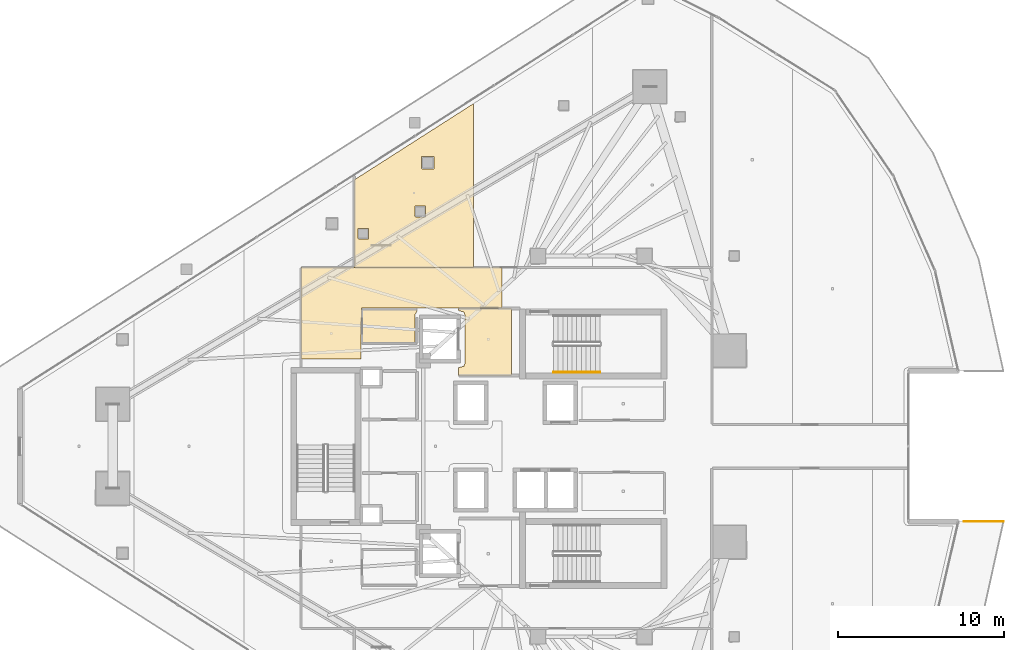
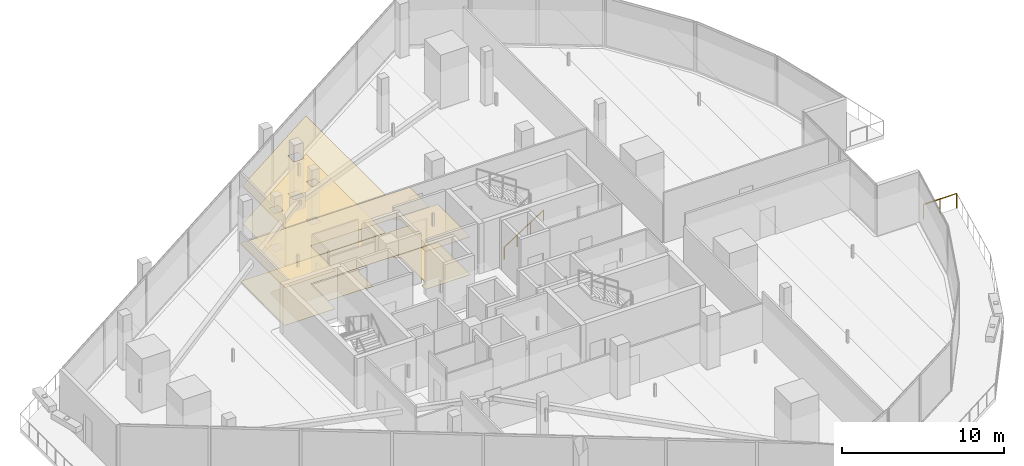
# One storey, part 37 of 39: 7 coverings, 2 railings.
"""IFC4 building model written with IfcOpenShell, lengths in metres."""

from ifc_helpers import new_model, si_unit, direction, frame, origin, origin_2d, place, context, subcontext, project, spatial, polyline, circle, outline, extrude, material, layer, layer_set, type_object, element, save


model = new_model("IFC4")

# Units and contexts
model_context = context("Model", 3, precision=1e-05, world=origin(), true_north=direction((0.0, 1.0)))
body_context = subcontext(model_context, "Body", "Model", "MODEL_VIEW")
ifc_project = project(units=[si_unit("LENGTHUNIT", "METRE"), si_unit("AREAUNIT", "SQUARE_METRE"), si_unit("VOLUMEUNIT", "CUBIC_METRE"), si_unit("PLANEANGLEUNIT", "RADIAN"), si_unit("MASSUNIT", "GRAM", prefix="KILO")], contexts=[model_context])

# Site, building, storey
site_placement = place(None, origin())
site = spatial("IfcSite", under=ifc_project, at=site_placement, CompositionType="ELEMENT")
building_placement = place(site_placement, origin())
building = spatial("IfcBuilding", under=site, at=building_placement, Name="Qorvath Tower", CompositionType="ELEMENT")
storey_placement = place(building_placement, frame((0.0, 0.0, 201.0)))
storey = spatial("IfcBuildingStorey", under=building, at=storey_placement, Name="L46", CompositionType="ELEMENT", Elevation=201.0)

# Coverings
ifc_material_1 = material(Name="Acoustic mineral fibre ceiling tile", Category="gypsum")
ifc_layer_1 = layer(ifc_material_1, 0.030029296875)
ifc_layer_set_1 = layer_set([ifc_layer_1], Name="COV-CEIL")
covering_type_1 = type_object("IfcCoveringType", Name="COV-CEIL", PredefinedType="CEILING", material=ifc_layer_set_1)
covering_1_placement = place(storey_placement, frame((0.0, 0.0, 2.85009765625)))
element("IfcCovering", 1, at=covering_1_placement, inside=storey, type_object=covering_type_1, Name="L46 Suspended Acoustic Ceiling 001", PredefinedType="CEILING", context=body_context, shape_type="SweptSolid", body=[
    extrude(outline(polyline([(-25.18994140625, 4.2548828125), (-25.18994140625, 8.294921875), (-28.375, 8.294921875), (-28.375, 8.159912109375), (-28.063232421875, 8.086669921875), (-27.989990234375, 7.909912109375), (-27.989990234375, 4.989990234375), (-28.063232421875, 4.813232421875), (-28.375, 4.739990234375), (-28.375, 4.2548828125), (-25.18994140625, 4.2548828125)])), origin(), (0.0, 0.0, 1.0), 0.030029296875),
])
covering_2_placement = place(storey_placement, frame((0.0, 0.0, 2.85009765625)))
element("IfcCovering", 2, at=covering_2_placement, inside=storey, type_object=covering_type_1, Name="L46 Suspended Acoustic Ceiling 010", PredefinedType="CEILING", context=body_context, shape_type="SweptSolid", body=[
    extrude(outline(polyline([(-25.76806640625, 8.324951171875), (-25.76806640625, 10.7451171875), (-37.844970703125, 10.7451171875), (-37.844970703125, 5.239990234375), (-34.2509765625, 5.239990234375), (-34.219970703125, 8.324951171875), (-25.76806640625, 8.324951171875)])), origin(), (0.0, 0.0, 1.0), 0.030029296875),
])
covering_3_placement = place(storey_placement, frame((0.0, 0.0, 2.85009765625)))
element("IfcCovering", 3, at=covering_3_placement, inside=storey, type_object=covering_type_1, Name="L46 Suspended Acoustic Ceiling 015", PredefinedType="CEILING", context=body_context, shape_type="SweptSolid", body=[
    extrude(outline(polyline([(-27.476318359375, 10.762939453125), (-27.476318359375, 20.6083984375), (-34.636962890625, 16.03173828125), (-34.636962890625, 10.762939453125), (-27.476318359375, 10.762939453125)]), holes=[polyline([(-30.60986328125, 16.734619140625), (-30.59228515625, 17.427001953125), (-29.857421875, 17.427001953125), (-29.857421875, 16.692138671875), (-30.5498046875, 16.674560546875), (-30.60986328125, 16.734619140625)]), polyline([(-31.01220703125, 13.849365234375), (-30.99462890625, 14.441650390625), (-30.35986328125, 14.441650390625), (-30.35986328125, 13.806884765625), (-30.9521484375, 13.789306640625), (-31.01220703125, 13.849365234375)]), polyline([(-34.439208984375, 12.517578125), (-34.421630859375, 13.10986328125), (-33.786865234375, 13.10986328125), (-33.786865234375, 12.47509765625), (-34.379150390625, 12.45751953125), (-34.439208984375, 12.517578125)])]), origin(), (0.0, 0.0, 1.0), 0.030029296875),
])
ifc_material_2 = material(Name="Low-VOC modular carpet tile", Category="textile")
ifc_layer_2 = layer(ifc_material_2, 0.014892578125)
ifc_layer_set_2 = layer_set([ifc_layer_2], Name="COV-FLOOR-CPT")
covering_type_2 = type_object("IfcCoveringType", Name="COV-FLOOR-CPT", PredefinedType="FLOORING", material=ifc_layer_set_2)
covering_4_placement = place(storey_placement, origin())
element("IfcCovering", 4, at=covering_4_placement, inside=storey, type_object=covering_type_2, Name="L46 Floor Finish 015", PredefinedType="FLOORING", context=body_context, shape_type="SweptSolid", body=[
    extrude(outline(polyline([(-27.476318359375, 10.762939453125), (-27.476318359375, 20.6083984375), (-34.636962890625, 16.03173828125), (-34.636962890625, 10.762939453125), (-27.476318359375, 10.762939453125)]), holes=[polyline([(-30.60986328125, 16.734619140625), (-30.59228515625, 17.427001953125), (-29.857421875, 17.427001953125), (-29.857421875, 16.692138671875), (-30.5498046875, 16.674560546875), (-30.60986328125, 16.734619140625)]), polyline([(-31.01220703125, 13.849365234375), (-30.99462890625, 14.441650390625), (-30.35986328125, 14.441650390625), (-30.35986328125, 13.806884765625), (-30.9521484375, 13.789306640625), (-31.01220703125, 13.849365234375)]), polyline([(-34.439208984375, 12.517578125), (-34.421630859375, 13.10986328125), (-33.786865234375, 13.10986328125), (-33.786865234375, 12.47509765625), (-34.379150390625, 12.45751953125), (-34.439208984375, 12.517578125)])]), origin(), (0.0, 0.0, 1.0), 0.014892578125),
])
ifc_material_3 = material(Name="Polished epoxy terrazzo flooring", Category="concrete")
ifc_layer_3 = layer(ifc_material_3, 0.02001953125)
ifc_layer_set_3 = layer_set([ifc_layer_3], Name="COV-FLOOR-TRZ")
covering_type_3 = type_object("IfcCoveringType", Name="COV-FLOOR-TRZ", PredefinedType="FLOORING", material=ifc_layer_set_3)
covering_5_placement = place(storey_placement, origin())
element("IfcCovering", 5, at=covering_5_placement, inside=storey, type_object=covering_type_3, Name="L46 Floor Finish 001", PredefinedType="FLOORING", context=body_context, shape_type="SweptSolid", body=[
    extrude(outline(polyline([(-25.18994140625, 4.2548828125), (-25.18994140625, 8.294921875), (-28.375, 8.294921875), (-28.375, 8.159912109375), (-28.063232421875, 8.086669921875), (-27.989990234375, 7.909912109375), (-27.989990234375, 4.989990234375), (-28.063232421875, 4.813232421875), (-28.375, 4.739990234375), (-28.375, 4.2548828125), (-25.18994140625, 4.2548828125)])), origin(), (0.0, 0.0, 1.0), 0.014892578125),
])
covering_6_placement = place(storey_placement, origin())
element("IfcCovering", 6, at=covering_6_placement, inside=storey, type_object=covering_type_3, Name="L46 Floor Finish 005", PredefinedType="FLOORING", context=body_context, shape_type="SweptSolid", body=[
    extrude(outline(polyline([(-31.010009765625, 6.205078125), (-31.010009765625, 7.909912109375), (-30.885009765625, 8.108154296875), (-30.885009765625, 8.2451171875), (-34.175048828125, 8.2451171875), (-34.175048828125, 6.205078125), (-31.010009765625, 6.205078125)])), origin(), (0.0, 0.0, 1.0), 0.014892578125),
])
covering_7_placement = place(storey_placement, origin())
element("IfcCovering", 7, at=covering_7_placement, inside=storey, type_object=covering_type_3, Name="L46 Floor Finish 010", PredefinedType="FLOORING", context=body_context, shape_type="SweptSolid", body=[
    extrude(outline(polyline([(-25.76806640625, 8.324951171875), (-25.76806640625, 10.7451171875), (-37.844970703125, 10.7451171875), (-37.844970703125, 5.239990234375), (-34.2509765625, 5.239990234375), (-34.219970703125, 8.324951171875), (-25.76806640625, 8.324951171875)])), origin(), (0.0, 0.0, 1.0), 0.014892578125),
])

# Railings
ifc_material_4 = material(Name="Laminated safety glass and stainless steel AISI 316", Category="steel")
railing_type_1 = type_object("IfcRailingType", Name="RL-EXT-GRD", PredefinedType="GUARDRAIL", material=ifc_material_4)
railing_1_placement = place(storey_placement, frame((2.03369140625, -4.519775390625, 0.0)))
element("IfcRailing", 8, at=railing_1_placement, inside=storey, type_object=railing_type_1, Name="Loggia Perimeter Guardrail L46-1.2", PredefinedType="GUARDRAIL", context=body_context, shape_type="SweptSolid", body=[
    extrude(circle(Radius=0.02392578125, at=origin_2d()), frame((0.0, 0.0, 1.09619140625), z_axis=(1.0, 0.0, 0.0), x_axis=(0.0, 1.0, 0.0)), (0.0, 0.0, 1.0), 2.36669921875),
    extrude(circle(Radius=0.02099609375, at=origin_2d()), origin(), (0.0, 0.0, 1.0), 1.072021484375),
    extrude(circle(Radius=0.02099609375, at=origin_2d()), frame((1.183349609375, 0.0, 0.0)), (0.0, 0.0, 1.0), 1.072021484375),
    extrude(circle(Radius=0.02099609375, at=origin_2d()), frame((2.36669921875, 0.0, 0.0)), (0.0, 0.0, 1.0), 1.072021484375),
])
ifc_material_5 = material(Name="Brushed stainless steel AISI 304", Category="steel")
railing_type_2 = type_object("IfcRailingType", Name="RL-STR-HND", PredefinedType="HANDRAIL", material=ifc_material_5)
railing_2_placement = place(storey_placement, frame((-22.669921875, 4.449951171875, 0.18408203125)))
element("IfcRailing", 9, at=railing_2_placement, inside=storey, type_object=railing_type_2, Name="L46 TS1 stair handrail 1", PredefinedType="HANDRAIL", context=body_context, shape_type="SweptSolid", body=[
    extrude(circle(Radius=0.02392578125, at=origin_2d()), frame((0.0, 0.0, 0.8759765625), z_axis=(0.835575518608, 0.0, 0.549375602573), x_axis=(0.0, 1.0, 0.0)), (0.0, 0.0, 1.0), 3.350830078125),
    extrude(circle(Radius=0.02099609375, at=origin_2d()), origin(), (0.0, 0.0, 1.0), 0.851806640625),
    extrude(circle(Radius=0.02099609375, at=origin_2d()), frame((0.933349609375, 0.0, 0.613525390625)), (0.0, 0.0, 1.0), 0.851806640625),
    extrude(circle(Radius=0.02099609375, at=origin_2d()), frame((1.866455078125, 0.0, 1.227294921875)), (0.0, 0.0, 1.0), 0.851806640625),
    extrude(circle(Radius=0.02099609375, at=origin_2d()), frame((2.7998046875, 0.0, 1.8408203125)), (0.0, 0.0, 1.0), 0.851806640625),
])

save(model, "model.ifc")
